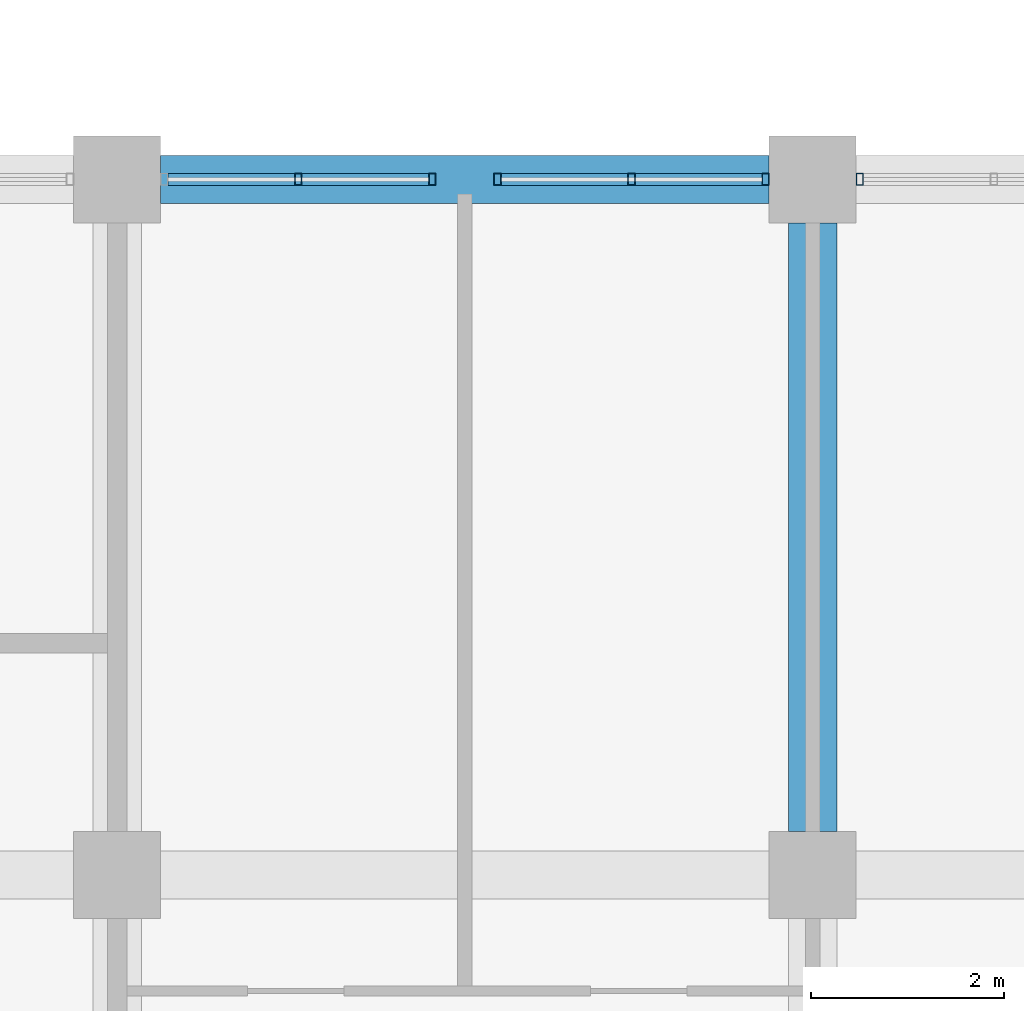
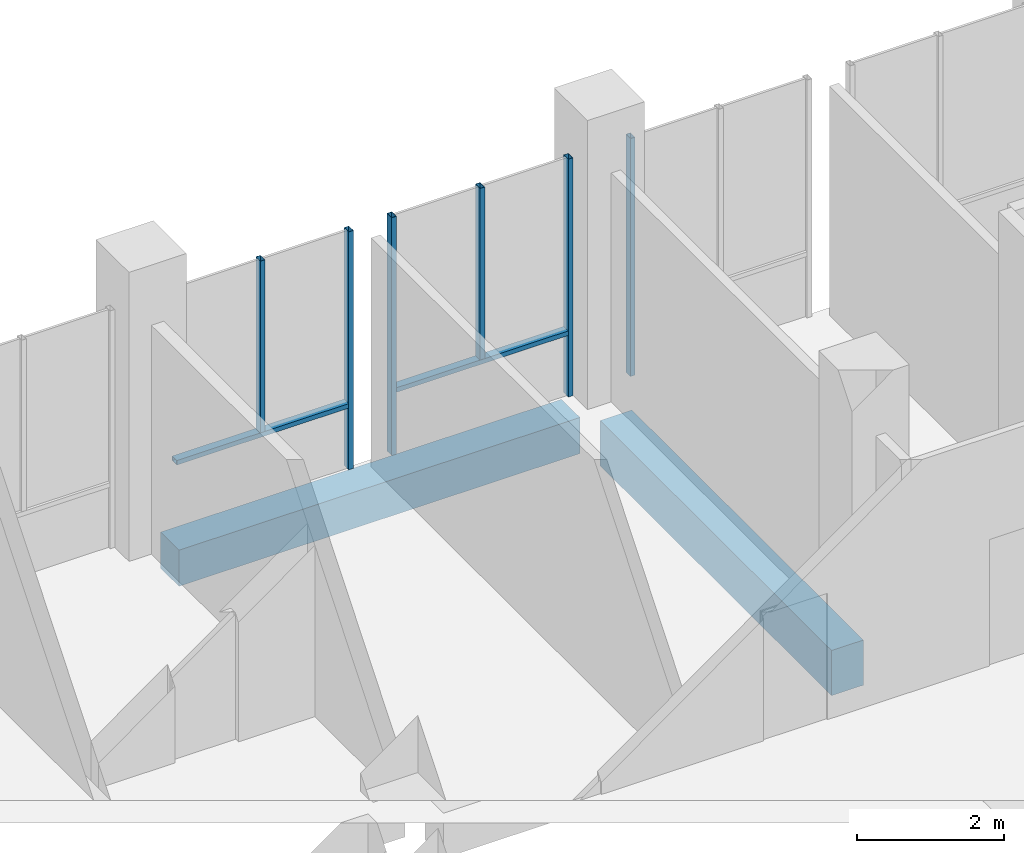
# One storey, part 3 of 30: 8 members, 2 beams, 3 elements without a shape of their own.
"""IFC4 building model written with IfcOpenShell, lengths in metres."""

from ifc_helpers import new_model, si_unit, direction, frame, origin, origin_2d, place, context, subcontext, project, spatial, rectangle, hollow_rectangle, extrude, material, material_profile, profile_set, type_object, element, aggregate, save


model = new_model("IFC4")

# Units and contexts
model_context = context("Model", 3, precision=1e-05, world=origin(), true_north=direction((0.0, 1.0)))
body_context = subcontext(model_context, "Body", "Model", "MODEL_VIEW")
ifc_project = project(units=[si_unit("LENGTHUNIT", "METRE"), si_unit("AREAUNIT", "SQUARE_METRE"), si_unit("VOLUMEUNIT", "CUBIC_METRE"), si_unit("PLANEANGLEUNIT", "RADIAN"), si_unit("MASSUNIT", "GRAM", prefix="KILO")], contexts=[model_context])

# Site, building, storey
site_placement = place(None, origin())
site = spatial("IfcSite", under=ifc_project, at=site_placement, CompositionType="ELEMENT")
building_placement = place(site_placement, origin())
building = spatial("IfcBuilding", under=site, at=building_placement, Name="Silangan Lancet Faculty of Sciences", CompositionType="ELEMENT")
storey_placement = place(building_placement, frame((0.0, 0.0, 31.199951171875)))
storey = spatial("IfcBuildingStorey", under=building, at=storey_placement, Name="L06", CompositionType="ELEMENT", Elevation=31.199951171875)

# Beams
ifc_material_1 = material(Name="Concrete C40/50", Category="concrete")
ifc_material_profile_1 = material_profile(ifc_material_1, rectangle(XDim=0.5, YDim=0.60009765625, at=origin_2d()), Name="RC 500x600")
ifc_profile_set_1 = profile_set([ifc_material_profile_1], Name="Concrete C40/50")
beam_type_1 = type_object("IfcBeamType", Name="BEAM RC 500x600", PredefinedType="BEAM", material=ifc_profile_set_1)
beam_1_placement = place(storey_placement, frame((7.64990234375, 21.60009765625, -0.550048828125), z_axis=(1.0, 0.0, 0.0), x_axis=(0.0, 1.0, 0.0)))
element("IfcBeam", 1, at=beam_1_placement, inside=storey, type_object=beam_type_1, Name="BM-L06-2D-3D", PredefinedType="BEAM", context=body_context, shape_type="SweptSolid", body=[
    extrude(rectangle(XDim=0.5, YDim=0.60009765625, at=origin_2d()), origin(), (0.0, 0.0, 1.0), 6.300048828125),
])
ifc_material_2 = material(Name="Concrete C40/50", Category="concrete")
ifc_material_profile_2 = material_profile(ifc_material_2, rectangle(XDim=0.5, YDim=0.75, at=origin_2d()), Name="RC 500x750")
ifc_profile_set_2 = profile_set([ifc_material_profile_2], Name="Concrete C40/50")
beam_type_2 = type_object("IfcBeamType", Name="BEAM RC 500x750", PredefinedType="BEAM", material=ifc_profile_set_2)
beam_2_placement = place(storey_placement, frame((14.39990234375, 14.85009765625, -0.625), z_axis=(0.0, 1.0, 0.0), x_axis=(-1.0, 0.0, 0.0)))
element("IfcBeam", 2, at=beam_2_placement, inside=storey, type_object=beam_type_2, Name="BM-L06-3C-3D", PredefinedType="BEAM", context=body_context, shape_type="SweptSolid", body=[
    extrude(rectangle(XDim=0.5, YDim=0.75, at=origin_2d()), origin(), (0.0, 0.0, 1.0), 6.2998046875),
])

# Curtain wall, member
ifc_material_3 = material(Name="Aluminium framed curtain wall with insulated glass", Category="aluminium")
curtain_wall_type = type_object("IfcCurtainWallType", Name="CW2 Atrium fire-resisting screen", PredefinedType="NOTDEFINED", material=ifc_material_3)
curtain_wall_1_placement = place(storey_placement, origin())
curtain_wall_1 = element("IfcCurtainWall", 3, at=curtain_wall_1_placement, inside=storey, type_object=curtain_wall_type, Name="CW2 Atrium south L06 bay 2", PredefinedType="NOTDEFINED")
ifc_material_4 = material(Name="Steel S355J2H", Category="steel")
ifc_material_profile_3 = material_profile(ifc_material_4, hollow_rectangle(XDim=0.074951171875, YDim=0.125, WallThickness=0.0048828125, at=origin_2d()), Name="ST BOX 75x125x5")
ifc_profile_set_3 = profile_set([ifc_material_profile_3], Name="Steel S355J2H")
member_type_1 = type_object("IfcMemberType", Name="CM2 Mullion 75x125", PredefinedType="MULLION", material=ifc_profile_set_3)
member_1_placement = place(storey_placement, frame((14.887451171875, 21.60009765625, 0.0), z_axis=(0.0, 0.0, 1.0), x_axis=(-1.0, 0.0, 0.0)))
member_1 = element("IfcMember", 4, at=member_1_placement, type_object=member_type_1, Name="CW2 Atrium south L06 bay 2 mullion 2", PredefinedType="MULLION", context=body_context, shape_type="SweptSolid", body=[
    extrude(hollow_rectangle(XDim=0.074951171875, YDim=0.125, WallThickness=0.0048828125, at=origin_2d()), origin(), (0.0, 0.0, 1.0), 3.949951171875),
])
aggregate(curtain_wall_1, [member_1])

# Curtain wall, members
curtain_wall_2_placement = place(storey_placement, origin())
curtain_wall_2 = element("IfcCurtainWall", 5, at=curtain_wall_2_placement, inside=storey, type_object=curtain_wall_type, Name="CW2 Atrium south L06 bay 3", PredefinedType="NOTDEFINED")
member_2_placement = place(storey_placement, frame((13.91259765625, 21.60009765625, 0.0), z_axis=(0.0, 0.0, 1.0), x_axis=(-1.0, 0.0, 0.0)))
member_2 = element("IfcMember", 6, at=member_2_placement, type_object=member_type_1, Name="CW2 Atrium south L06 bay 3 mullion 1", PredefinedType="MULLION", context=body_context, shape_type="SweptSolid", body=[
    extrude(hollow_rectangle(XDim=0.074951171875, YDim=0.125, WallThickness=0.0048828125, at=origin_2d()), origin(), (0.0, 0.0, 1.0), 3.949951171875),
])
member_3_placement = place(storey_placement, frame((11.137451171875, 21.60009765625, 0.0), z_axis=(0.0, 0.0, 1.0), x_axis=(-1.0, 0.0, 0.0)))
member_3 = element("IfcMember", 7, at=member_3_placement, type_object=member_type_1, Name="CW2 Atrium south L06 bay 3 mullion 2", PredefinedType="MULLION", context=body_context, shape_type="SweptSolid", body=[
    extrude(hollow_rectangle(XDim=0.074951171875, YDim=0.125, WallThickness=0.0048828125, at=origin_2d()), origin(), (0.0, 0.0, 1.0), 3.949951171875),
])
member_4_placement = place(storey_placement, frame((12.52490234375, 21.60009765625, 1.10009765625), z_axis=(0.0, 0.0, 1.0), x_axis=(-1.0, 0.0, 0.0)))
member_4 = element("IfcMember", 8, at=member_4_placement, type_object=member_type_1, Name="CW2 Atrium south L06 bay 3 mullion 3", PredefinedType="MULLION", context=body_context, shape_type="SweptSolid", body=[
    extrude(hollow_rectangle(XDim=0.074951171875, YDim=0.125, WallThickness=0.0048828125, at=origin_2d()), origin(), (0.0, 0.0, 1.0), 2.849853515625),
])

curtain_wall_3_placement = place(storey_placement, origin())
curtain_wall_3 = element("IfcCurtainWall", 9, at=curtain_wall_3_placement, inside=storey, type_object=curtain_wall_type, Name="CW2 Atrium south L06 bay 4", PredefinedType="NOTDEFINED")
member_5_placement = place(storey_placement, frame((10.46240234375, 21.60009765625, 0.0), z_axis=(0.0, 0.0, 1.0), x_axis=(-1.0, 0.0, 0.0)))
member_5 = element("IfcMember", 10, at=member_5_placement, type_object=member_type_1, Name="CW2 Atrium south L06 bay 4 mullion 1", PredefinedType="MULLION", context=body_context, shape_type="SweptSolid", body=[
    extrude(hollow_rectangle(XDim=0.074951171875, YDim=0.125, WallThickness=0.0048828125, at=origin_2d()), origin(), (0.0, 0.0, 1.0), 3.949951171875),
])
member_6_placement = place(storey_placement, frame((9.074951171875, 21.60009765625, 1.10009765625), z_axis=(0.0, 0.0, 1.0), x_axis=(-1.0, 0.0, 0.0)))
member_6 = element("IfcMember", 11, at=member_6_placement, type_object=member_type_1, Name="CW2 Atrium south L06 bay 4 mullion 3", PredefinedType="MULLION", context=body_context, shape_type="SweptSolid", body=[
    extrude(hollow_rectangle(XDim=0.074951171875, YDim=0.125, WallThickness=0.0048828125, at=origin_2d()), origin(), (0.0, 0.0, 1.0), 2.849853515625),
])

# Member
ifc_material_5 = material(Name="Steel S355J2H", Category="steel")
ifc_material_profile_4 = material_profile(ifc_material_5, hollow_rectangle(XDim=0.125, YDim=0.074951171875, WallThickness=0.0048828125, at=origin_2d()), Name="ST BOX 125x75x5")
ifc_profile_set_4 = profile_set([ifc_material_profile_4], Name="Steel S355J2H")
member_type_2 = type_object("IfcMemberType", Name="CT2 Transom 125x75", PredefinedType="USERDEFINED", material=ifc_profile_set_4)
member_7_placement = place(storey_placement, frame((13.875, 21.60009765625, 1.0625), z_axis=(-1.0, 0.0, 0.0), x_axis=(0.0, -1.0, 0.0)))
member_7 = element("IfcMember", 12, at=member_7_placement, type_object=member_type_2, Name="CW2 Atrium south L06 bay 3 transom 1", ObjectType="TRANSOM", PredefinedType="USERDEFINED", context=body_context, shape_type="SweptSolid", body=[
    extrude(hollow_rectangle(XDim=0.125, YDim=0.074951171875, WallThickness=0.0048828125, at=origin_2d()), origin(), (0.0, 0.0, 1.0), 2.699951171875),
])

aggregate(curtain_wall_2, [member_2, member_3, member_4, member_7])

member_8_placement = place(storey_placement, frame((10.425048828125, 21.60009765625, 1.0625), z_axis=(-1.0, 0.0, 0.0), x_axis=(0.0, -1.0, 0.0)))
member_8 = element("IfcMember", 13, at=member_8_placement, type_object=member_type_2, Name="CW2 Atrium south L06 bay 4 transom 1", ObjectType="TRANSOM", PredefinedType="USERDEFINED", context=body_context, shape_type="SweptSolid", body=[
    extrude(hollow_rectangle(XDim=0.125, YDim=0.074951171875, WallThickness=0.0048828125, at=origin_2d()), origin(), (0.0, 0.0, 1.0), 2.699951171875),
])

aggregate(curtain_wall_3, [member_5, member_6, member_8])

save(model, "model.ifc")
